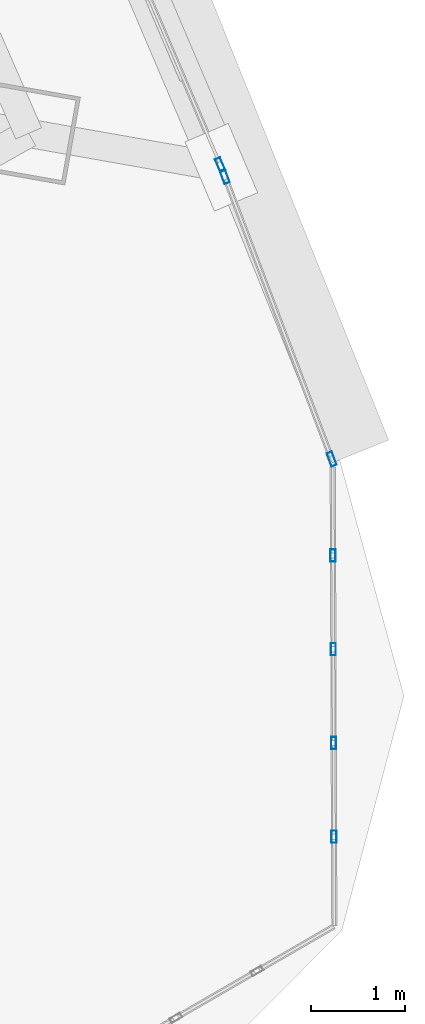
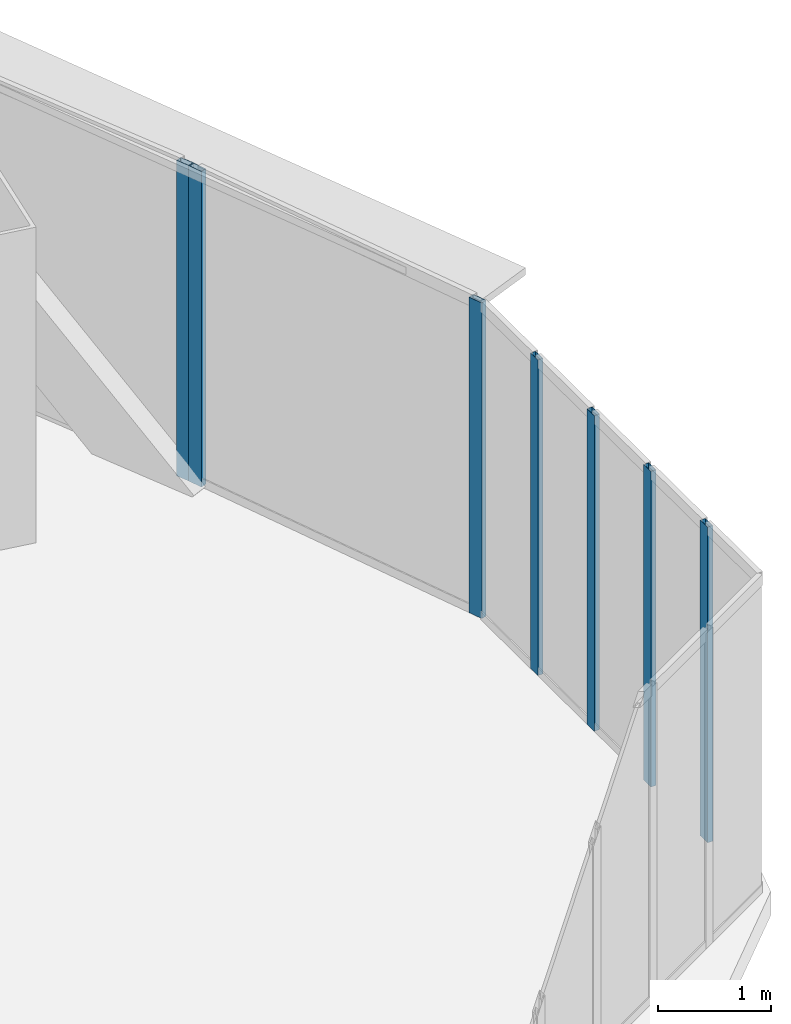
# One storey, part 24 of 42: 7 members, 3 elements without a shape of their own.
"""IFC4 building model written with IfcOpenShell, lengths in metres."""

from ifc_helpers import new_model, si_unit, direction, frame, origin, origin_2d, place, context, subcontext, project, spatial, hollow_rectangle, extrude, source, transform, mapped, material, layer, layer_set, material_profile, profile_set, type_object, element, aggregate, save


model = new_model("IFC4")

# Units and contexts
model_context = context("Model", 3, precision=1e-05, world=origin(), true_north=direction((0.0, 1.0)))
body_context = subcontext(model_context, "Body", "Model", "MODEL_VIEW")
ifc_project = project(units=[si_unit("LENGTHUNIT", "METRE"), si_unit("AREAUNIT", "SQUARE_METRE"), si_unit("VOLUMEUNIT", "CUBIC_METRE"), si_unit("PLANEANGLEUNIT", "RADIAN"), si_unit("MASSUNIT", "GRAM", prefix="KILO"), si_unit("THERMODYNAMICTEMPERATUREUNIT", "KELVIN"), si_unit("POWERUNIT", "WATT")], contexts=[model_context])

# Site, building, storey
site_placement = place(None, origin())
site = spatial("IfcSite", under=ifc_project, at=site_placement, CompositionType="ELEMENT")
building_placement = place(site_placement, origin())
building = spatial("IfcBuilding", under=site, at=building_placement, Name="Yunzhuo Pagoda Commons", CompositionType="ELEMENT")
storey_placement = place(building_placement, frame((0.0, 0.0, 129.830078125)))
storey = spatial("IfcBuildingStorey", under=building, at=storey_placement, Name="L32", CompositionType="ELEMENT", Elevation=129.830078125)

# Curtain wall, member
ifc_material = material(Name="Anodized aluminium 6063-T6", Category="aluminium")
ifc_layer_1 = layer(ifc_material, 0.14990234375)
ifc_layer_set_1 = layer_set([ifc_layer_1], Name="Anodized aluminium 6063-T6")
curtain_wall_type_1 = type_object("IfcCurtainWallType", Name="CW-MID Mid-Zone Ribbon Curtain Wall", PredefinedType="NOTDEFINED", material=ifc_layer_set_1)
curtain_wall_1_placement = place(storey_placement, origin())
curtain_wall_1 = element("IfcCurtainWall", 1, at=curtain_wall_1_placement, inside=storey, type_object=curtain_wall_type_1, Name="L32 curtain wall CW-L32-F2B2", PredefinedType="NOTDEFINED")
ifc_material_profile_1 = material_profile(ifc_material, hollow_rectangle(XDim=0.06005859375, YDim=0.14990234375, WallThickness=0.00390625, at=origin_2d()), Name="Anodized aluminium 6063-T6")
ifc_profile_set_1 = profile_set([ifc_material_profile_1], Name="Anodized aluminium 6063-T6")
member_type_1 = type_object("IfcMemberType", Name="CW-MID-M Mullion RHS 150x60x4", PredefinedType="MULLION", material=ifc_profile_set_1)
shared_shape_1 = source(origin(), body_context, "Body", "SweptSolid", [
    extrude(hollow_rectangle(XDim=0.06005859375, YDim=0.14990234375, WallThickness=0.00390625, at=origin_2d()), origin(), (0.0, 0.0, 1.0), 3.419921875),
])
member_1_placement = place(storey_placement, frame((87.0361328125, 26.84228515625, 0.0), z_axis=(0.0, 0.0, 1.0), x_axis=(-0.919928137274, -0.392087008522, 0.0)))
member_1 = element("IfcMember", 2, at=member_1_placement, type_object=member_type_1, Name="CW mullion 1", PredefinedType="MULLION", context=body_context, shape_type="MappedRepresentation", body=[
    mapped(shared_shape_1, transform((0.0, 0.0, 0.0), scale=1.0)),
])
aggregate(curtain_wall_1, [member_1])

# Curtain wall, members
curtain_wall_2_placement = place(storey_placement, origin())
curtain_wall_2 = element("IfcCurtainWall", 3, at=curtain_wall_2_placement, inside=storey, type_object=curtain_wall_type_1, Name="L32 curtain wall CW-L32-F2B1", PredefinedType="NOTDEFINED")
member_2_placement = place(storey_placement, frame((88.222900390625, 23.708740234375, 0.0), z_axis=(0.0, 0.0, 1.0), x_axis=(-0.935321752827, -0.353798274003, 0.0)))
member_2 = element("IfcMember", 4, at=member_2_placement, type_object=member_type_1, Name="CW mullion 1", PredefinedType="MULLION", context=body_context, shape_type="MappedRepresentation", body=[
    mapped(shared_shape_1, transform((0.0, 0.0, 0.0), scale=1.0)),
])
member_3_placement = place(storey_placement, frame((87.0849609375, 26.716552734375, 0.0), z_axis=(0.0, 0.0, 1.0), x_axis=(-0.935321752827, -0.353798274003, 0.0)))
member_3 = element("IfcMember", 5, at=member_3_placement, type_object=member_type_1, Name="CW mullion 2", PredefinedType="MULLION", context=body_context, shape_type="MappedRepresentation", body=[
    mapped(shared_shape_1, transform((0.0, 0.0, 0.0), scale=1.0)),
])
aggregate(curtain_wall_2, [member_2, member_3])

ifc_layer_2 = layer(ifc_material, 0.1298828125)
ifc_layer_set_2 = layer_set([ifc_layer_2], Name="Anodized aluminium 6063-T6")
curtain_wall_type_2 = type_object("IfcCurtainWallType", Name="CW-VTX Rounded Corner Curtain Wall", PredefinedType="NOTDEFINED", material=ifc_layer_set_2)
curtain_wall_3_placement = place(storey_placement, origin())
curtain_wall_3 = element("IfcCurtainWall", 6, at=curtain_wall_3_placement, inside=storey, type_object=curtain_wall_type_2, Name="L32 curtain wall CW-L32-VTX2S2", PredefinedType="NOTDEFINED")
ifc_material_profile_2 = material_profile(ifc_material, hollow_rectangle(XDim=0.054931640625, YDim=0.1298828125, WallThickness=0.00341796875, at=origin_2d()), Name="Anodized aluminium 6063-T6")
ifc_profile_set_2 = profile_set([ifc_material_profile_2], Name="Anodized aluminium 6063-T6")
member_type_2 = type_object("IfcMemberType", Name="CW-VTX-M Mullion RHS 130x55x3.5", PredefinedType="MULLION", material=ifc_profile_set_2)
shared_shape_2 = source(origin(), body_context, "Body", "SweptSolid", [
    extrude(hollow_rectangle(XDim=0.054931640625, YDim=0.1298828125, WallThickness=0.00341796875, at=origin_2d()), origin(), (0.0, 0.0, 1.0), 3.419921875),
])
member_4_placement = place(storey_placement, frame((88.247802734375, 19.68798828125, 0.0), z_axis=(0.0, 0.0, 1.0), x_axis=(-0.999993568215, -0.003586576275, 0.0)))
member_4 = element("IfcMember", 7, at=member_4_placement, type_object=member_type_2, Name="CW mullion 2", PredefinedType="MULLION", context=body_context, shape_type="MappedRepresentation", body=[
    mapped(shared_shape_2, transform((0.0, 0.0, 0.0), scale=1.0)),
])
member_5_placement = place(storey_placement, frame((88.244140625, 20.686279296875, 0.0), z_axis=(0.0, 0.0, 1.0), x_axis=(-0.999993568215, -0.003586576275, 0.0)))
member_5 = element("IfcMember", 8, at=member_5_placement, type_object=member_type_2, Name="CW mullion 3", PredefinedType="MULLION", context=body_context, shape_type="MappedRepresentation", body=[
    mapped(shared_shape_2, transform((0.0, 0.0, 0.0), scale=1.0)),
])
member_6_placement = place(storey_placement, frame((88.24072265625, 21.684326171875, 0.0), z_axis=(0.0, 0.0, 1.0), x_axis=(-0.999993568215, -0.003586576275, 0.0)))
member_6 = element("IfcMember", 9, at=member_6_placement, type_object=member_type_2, Name="CW mullion 4", PredefinedType="MULLION", context=body_context, shape_type="MappedRepresentation", body=[
    mapped(shared_shape_2, transform((0.0, 0.0, 0.0), scale=1.0)),
])
member_7_placement = place(storey_placement, frame((88.2373046875, 22.6826171875, 0.0), z_axis=(0.0, 0.0, 1.0), x_axis=(-0.999993568215, -0.003586576275, 0.0)))
member_7 = element("IfcMember", 10, at=member_7_placement, type_object=member_type_2, Name="CW mullion 5", PredefinedType="MULLION", context=body_context, shape_type="MappedRepresentation", body=[
    mapped(shared_shape_2, transform((0.0, 0.0, 0.0), scale=1.0)),
])
aggregate(curtain_wall_3, [member_4, member_5, member_6, member_7])

save(model, "model.ifc")
